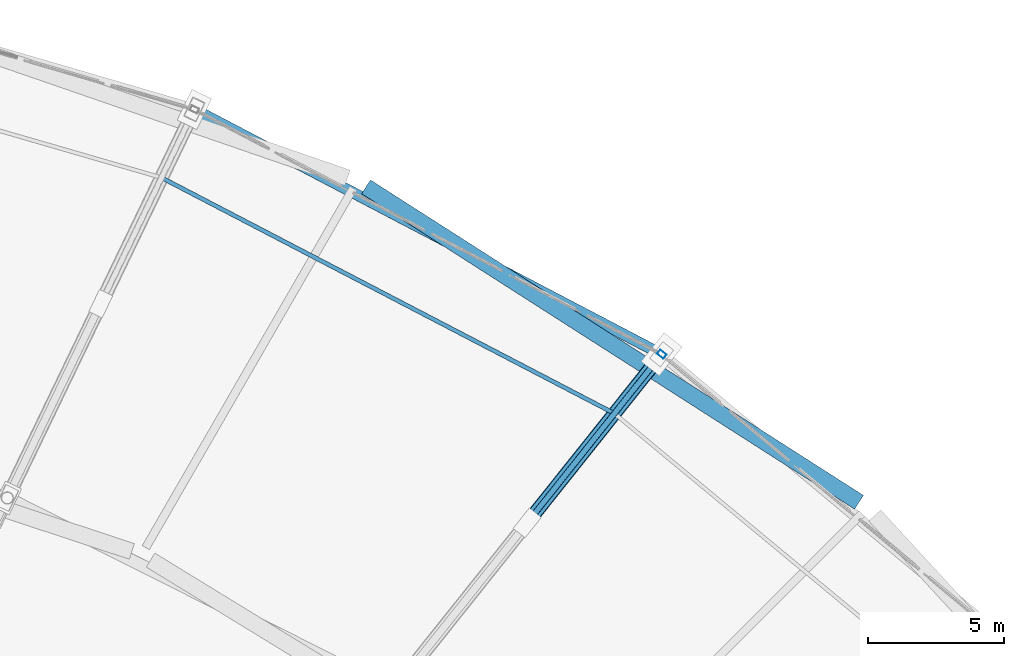
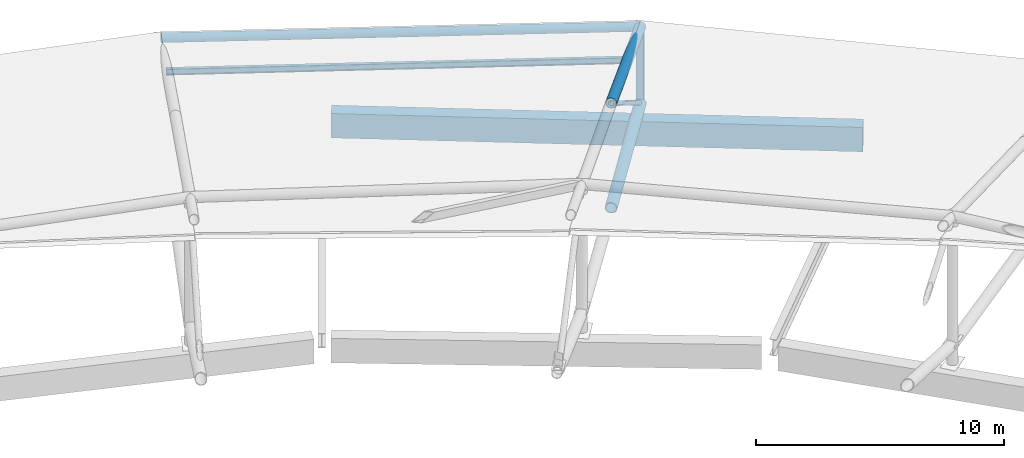
# One storey, part 88 of 108: 6 members, 1 beam.
"""IFC4 building model written with IfcOpenShell, lengths in metres."""

from ifc_helpers import new_model, si_unit, direction, frame, origin, origin_2d, place, context, subcontext, project, spatial, rectangle, hollow_rectangle, hollow_circle, i_section, extrude, material, material_profile, profile_set, type_object, element, save


model = new_model("IFC4")

# Units and contexts
model_context = context("Model", 3, precision=1e-05, world=origin(), true_north=direction((0.0, 1.0)))
body_context = subcontext(model_context, "Body", "Model", "MODEL_VIEW")
ifc_project = project(units=[si_unit("LENGTHUNIT", "METRE"), si_unit("AREAUNIT", "SQUARE_METRE"), si_unit("VOLUMEUNIT", "CUBIC_METRE"), si_unit("PLANEANGLEUNIT", "RADIAN"), si_unit("MASSUNIT", "GRAM", prefix="KILO")], contexts=[model_context])

# Site, building, storey
site_placement = place(None, origin())
site = spatial("IfcSite", under=ifc_project, at=site_placement, CompositionType="ELEMENT")
building_placement = place(site_placement, origin())
building = spatial("IfcBuilding", under=site, at=building_placement, Name="Zevraka Park Crest Stadium", CompositionType="ELEMENT")
storey_placement = place(building_placement, frame((0.0, 0.0, 29.39990234375)))
storey = spatial("IfcBuildingStorey", under=building, at=storey_placement, Name="RF", CompositionType="ELEMENT", Elevation=29.39990234375)

# Member
ifc_material_1 = material(Name="Steel S355", Category="steel")
ifc_material_profile_1 = material_profile(ifc_material_1, i_section(OverallWidth=0.14990234375, OverallDepth=0.300048828125, WebThickness=0.007080078125, FlangeThickness=0.0107421875, at=origin_2d()), Name="IPE 300")
ifc_profile_set_1 = profile_set([ifc_material_profile_1], Name="Steel S355")
member_type_1 = type_object("IfcMemberType", Name="PR02", PredefinedType="PURLIN", material=ifc_profile_set_1)
member_1_placement = place(storey_placement, frame((166.570068359375, 148.701904296875, 4.287109375), z_axis=(-0.886970325998, 0.461826418471, 0.0), x_axis=(-0.461826418471, -0.886970325998, 0.0)))
element("IfcMember", 1, at=member_1_placement, inside=storey, type_object=member_type_1, Name="Canopy Roof Purlin PR02 OUTER-05-1", PredefinedType="PURLIN", context=body_context, shape_type="SweptSolid", body=[
    extrude(i_section(OverallWidth=0.14990234375, OverallDepth=0.300048828125, WebThickness=0.007080078125, FlangeThickness=0.0107421875, at=origin_2d()), origin(), (0.0, 0.0, 1.0), 18.708740234375),
])

# Beam
ifc_material_2 = material(Name="Concrete C40/50", Category="concrete")
ifc_material_profile_2 = material_profile(ifc_material_2, rectangle(XDim=0.60009765625, YDim=1.199951171875, at=origin_2d()), Name="RC 1200x600")
ifc_profile_set_2 = profile_set([ifc_material_profile_2], Name="Concrete C40/50")
beam_type = type_object("IfcBeamType", Name="RB01", PredefinedType="BEAM", material=ifc_profile_set_2)
beam_placement = place(storey_placement, frame((175.531982421875, 145.449951171875, -0.599853515625), z_axis=(-0.842325571453, 0.538969045193, 0.0), x_axis=(-0.538969045193, -0.842325571453, 0.0)))
element("IfcBeam", 2, at=beam_placement, inside=storey, type_object=beam_type, Name="Ring Beam RB01 RF-D-03", PredefinedType="BEAM", context=body_context, shape_type="SweptSolid", body=[
    extrude(rectangle(XDim=0.60009765625, YDim=1.199951171875, at=origin_2d()), origin(), (0.0, 0.0, 1.0), 21.443115234375),
])

# Members
ifc_material_3 = material(Name="Steel S355", Category="steel")
ifc_material_profile_3 = material_profile(ifc_material_3, hollow_circle(Radius=0.25390625, WallThickness=0.030029296875, at=origin_2d()), Name="CHS 508.0x30")
ifc_profile_set_3 = profile_set([ifc_material_profile_3], Name="Steel S355")
member_type_2 = type_object("IfcMemberType", Name="TC01", PredefinedType="CHORD", material=ifc_profile_set_3)
member_2_placement = place(storey_placement, frame((168.301025390625, 150.8720703125, 0.25), z_axis=(-0.622967457685, -0.781326508049, 0.037953056337), x_axis=(0.781889841529, -0.623416614884, 0.0)))
element("IfcMember", 3, at=member_2_placement, inside=storey, type_object=member_type_2, Name="Roof Truss Bottom Chord TC01 T05-1", PredefinedType="CHORD", context=body_context, shape_type="SweptSolid", body=[
    extrude(hollow_circle(Radius=0.25390625, WallThickness=0.030029296875, at=origin_2d()), origin(), (0.0, 0.0, 1.0), 7.90576171875),
])
ifc_material_4 = material(Name="Steel S355", Category="steel")
ifc_material_profile_4 = material_profile(ifc_material_4, hollow_circle(Radius=0.228515625, WallThickness=0.02490234375, at=origin_2d()), Name="CHS 457.0x25")
ifc_profile_set_4 = profile_set([ifc_material_profile_4], Name="Steel S355")
member_type_3 = type_object("IfcMemberType", Name="TC02", PredefinedType="CHORD", material=ifc_profile_set_4)
member_3_placement = place(storey_placement, frame((168.301025390625, 150.8720703125, 4.0), z_axis=(-0.609462360825, -0.764388399902, 0.210394878342), x_axis=(0.781889841529, -0.623416614884, 0.0)))
element("IfcMember", 4, at=member_3_placement, inside=storey, type_object=member_type_3, Name="Roof Truss Top Chord TC02 T05-1", PredefinedType="CHORD", context=body_context, shape_type="SweptSolid", body=[
    extrude(hollow_circle(Radius=0.228515625, WallThickness=0.02490234375, at=origin_2d()), origin(), (0.0, 0.0, 1.0), 8.0810546875),
])
ifc_material_5 = material(Name="Steel S355", Category="steel")
ifc_material_profile_5 = material_profile(ifc_material_5, hollow_circle(Radius=0.203125, WallThickness=0.02001953125, at=origin_2d()), Name="CHS 406.4x20")
ifc_profile_set_5 = profile_set([ifc_material_profile_5], Name="Steel S355")
member_type_4 = type_object("IfcMemberType", Name="TC03", PredefinedType="CHORD", material=ifc_profile_set_5)
member_4_placement = place(storey_placement, frame((168.301025390625, 150.8720703125, 4.0), z_axis=(-0.885772936576, 0.464118847742, 0.0), x_axis=(-0.464118847742, -0.885772936576, 0.0)))
element("IfcMember", 5, at=member_4_placement, inside=storey, type_object=member_type_4, Name="Roof Outer Canopy Ring Chord TC03 05", PredefinedType="CHORD", context=body_context, shape_type="SweptSolid", body=[
    extrude(hollow_circle(Radius=0.203125, WallThickness=0.02001953125, at=origin_2d()), origin(), (0.0, 0.0, 1.0), 19.3291015625),
])
ifc_material_6 = material(Name="Steel S355", Category="steel")
ifc_material_profile_6 = material_profile(ifc_material_6, hollow_circle(Radius=0.109619140625, WallThickness=0.010009765625, at=origin_2d()), Name="CHS 219.1x10")
ifc_profile_set_6 = profile_set([ifc_material_profile_6], Name="Steel S355")
member_type_5 = type_object("IfcMemberType", Name="WB02", PredefinedType="BRACE", material=ifc_profile_set_6)
member_5_placement = place(storey_placement, frame((168.301025390625, 150.8720703125, 0.25), z_axis=(-0.51314818539, -0.643591049351, 0.567863981096), x_axis=(0.781889841529, -0.623416614884, 0.0)))
element("IfcMember", 6, at=member_5_placement, inside=storey, type_object=member_type_5, Name="Roof Truss Web Diagonal WB02 T05-1", PredefinedType="BRACE", context=body_context, shape_type="SweptSolid", body=[
    extrude(hollow_circle(Radius=0.109619140625, WallThickness=0.010009765625, at=origin_2d()), origin(), (0.0, 0.0, 1.0), 9.59765625),
])
ifc_material_7 = material(Name="Steel S355", Category="steel")
ifc_material_profile_7 = material_profile(ifc_material_7, hollow_rectangle(XDim=0.199951171875, YDim=0.300048828125, WallThickness=0.012451171875, at=origin_2d()), Name="RHS 300x200x12.5")
ifc_profile_set_7 = profile_set([ifc_material_profile_7], Name="Steel S355")
member_type_6 = type_object("IfcMemberType", Name="WB03", PredefinedType="BRACE", material=ifc_profile_set_7)
member_6_placement = place(storey_placement, frame((168.301025390625, 150.8720703125, 0.0), z_axis=(0.0, 0.0, 1.0), x_axis=(0.623470308046, 0.781847027868, 0.0)))
element("IfcMember", 7, at=member_6_placement, inside=storey, type_object=member_type_6, Name="Roof Truss Anchor Strut WB03 T05-0", PredefinedType="BRACE", context=body_context, shape_type="SweptSolid", body=[
    extrude(hollow_rectangle(XDim=0.199951171875, YDim=0.300048828125, WallThickness=0.012451171875, at=origin_2d()), origin(), (0.0, 0.0, 1.0), 4.0),
])

save(model, "model.ifc")
